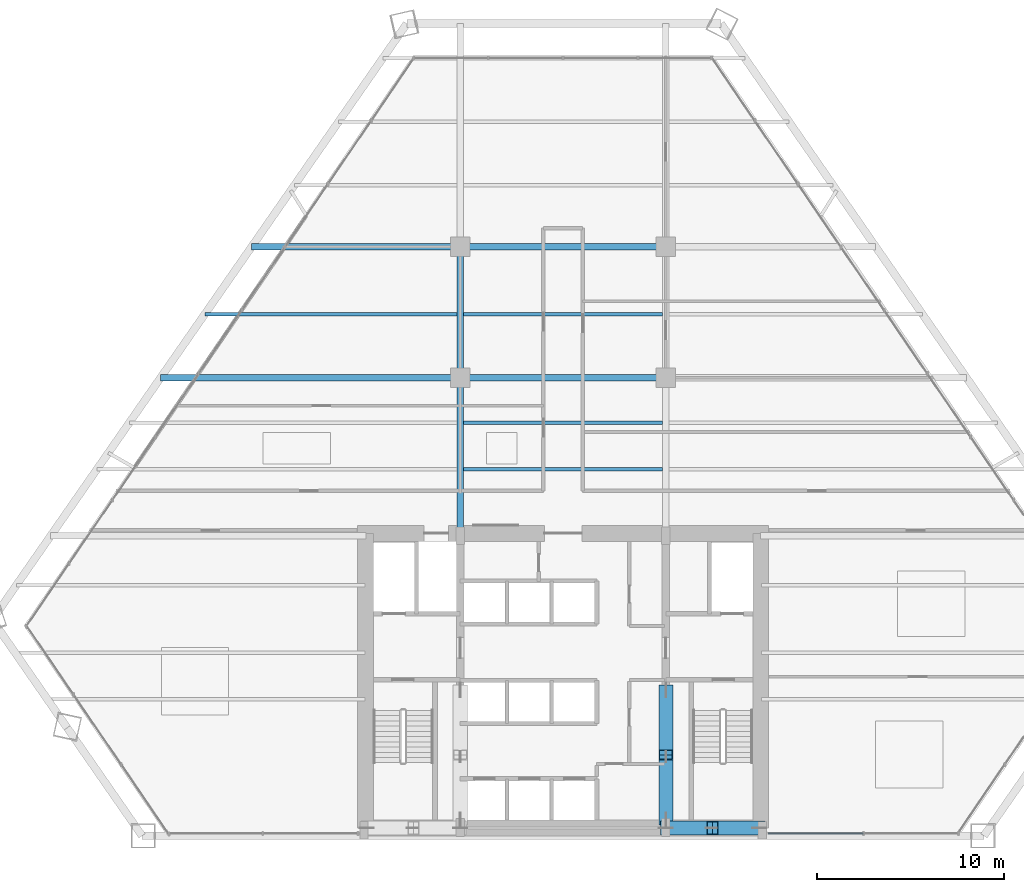
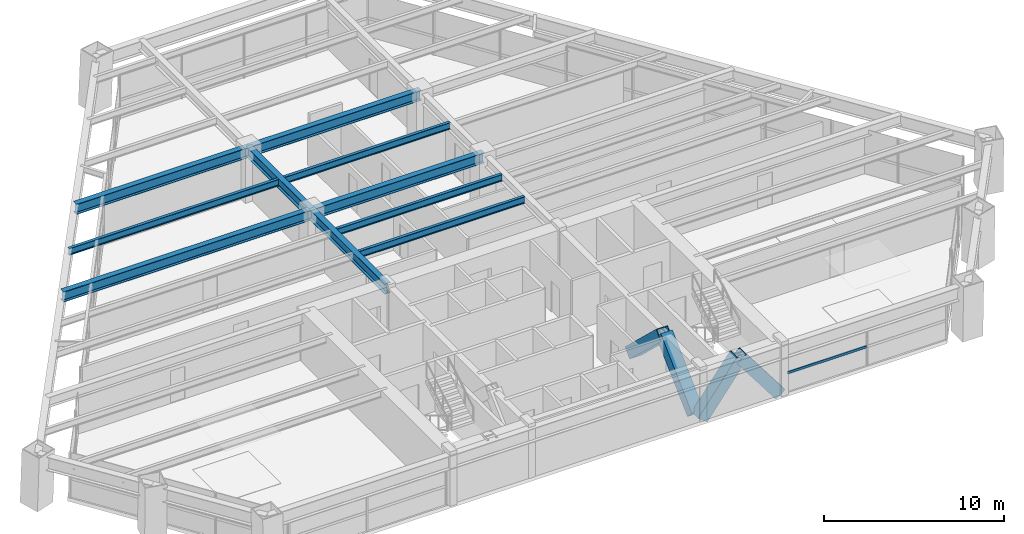
# One storey, part 5 of 13: 10 beams, 5 members, 1 element without a shape of its own.
"""IFC4 building model written with IfcOpenShell, lengths in metres."""

from ifc_helpers import new_model, si_unit, direction, frame, origin, origin_2d, place, context, subcontext, project, spatial, rectangle, hollow_rectangle, i_section, extrude, source, transform, mapped, material, material_profile, profile_set, type_object, type_shapes, element, aggregate, save


model = new_model("IFC4")

# Units and contexts
model_context = context("Model", 3, precision=1e-05, world=origin(), true_north=direction((0.0, 1.0)))
body_context = subcontext(model_context, "Body", "Model", "MODEL_VIEW")
ifc_project = project(units=[si_unit("LENGTHUNIT", "METRE"), si_unit("AREAUNIT", "SQUARE_METRE"), si_unit("VOLUMEUNIT", "CUBIC_METRE"), si_unit("PLANEANGLEUNIT", "RADIAN"), si_unit("MASSUNIT", "GRAM", prefix="KILO")], contexts=[model_context])

# Site, building, storey
site_placement = place(None, origin())
site = spatial("IfcSite", under=ifc_project, at=site_placement, CompositionType="ELEMENT")
building_placement = place(site_placement, origin())
building = spatial("IfcBuilding", under=site, at=building_placement, Name="Varnakhor Terracotta Tower", CompositionType="ELEMENT")
storey_placement = place(building_placement, frame((0.0, 0.0, 27.5)))
storey = spatial("IfcBuildingStorey", under=building, at=storey_placement, Name="L05", CompositionType="ELEMENT", Elevation=27.5)

# Beams
ifc_material_1 = material(Name="Steel S355", Category="steel")
ifc_material_profile_1 = material_profile(ifc_material_1, i_section(OverallWidth=0.35498046875, OverallDepth=0.695068359375, WebThickness=0.014892578125, FlangeThickness=0.02490234375, FilletRadius=0.01806640625, at=origin_2d()), Name="W27X146")
ifc_profile_set_1 = profile_set([ifc_material_profile_1], Name="Steel S355")
beam_type_1 = type_object("IfcBeamType", Name="BM-W27X146", PredefinedType="BEAM", material=ifc_profile_set_1)
shared_shape_1 = source(origin(), body_context, "Body", "SweptSolid", [
    extrude(i_section(OverallWidth=0.35498046875, OverallDepth=0.695068359375, WebThickness=0.014892578125, FlangeThickness=0.02490234375, FilletRadius=0.01806640625, at=origin_2d()), origin(), (0.0, 0.0, 1.0), 8.449951171875),
])
type_shapes(beam_type_1, [shared_shape_1])
beam_1_placement = place(storey_placement, frame((-5.5, 16.050048828125, 3.1025390625), z_axis=(0.0, 1.0, 0.0), x_axis=(-1.0, 0.0, 0.0)))
element("IfcBeam", 1, at=beam_1_placement, inside=storey, type_object=beam_type_1, Name="L05 Primary Girder NS1-W", PredefinedType="BEAM", context=body_context, shape_type="MappedRepresentation", body=[
    mapped(shared_shape_1, transform((0.0, 0.0, 0.0), scale=1.0)),
])
shared_shape_2 = source(origin(), body_context, "Body", "SweptSolid", [
    extrude(i_section(OverallWidth=0.35498046875, OverallDepth=0.695068359375, WebThickness=0.014892578125, FlangeThickness=0.02490234375, FilletRadius=0.01806640625, at=origin_2d()), origin(), (0.0, 0.0, 1.0), 7.0),
])
beam_2_placement = place(storey_placement, frame((-5.5, 24.5, 3.1025390625), z_axis=(0.0, 1.0, 0.0), x_axis=(-1.0, 0.0, 0.0)))
element("IfcBeam", 2, at=beam_2_placement, inside=storey, type_object=beam_type_1, Name="L05 Primary Girder NS2-W", PredefinedType="BEAM", context=body_context, shape_type="MappedRepresentation", body=[
    mapped(shared_shape_2, transform((0.0, 0.0, 0.0), scale=1.0)),
])
shared_shape_3 = source(origin(), body_context, "Body", "SweptSolid", [
    extrude(i_section(OverallWidth=0.35498046875, OverallDepth=0.695068359375, WebThickness=0.014892578125, FlangeThickness=0.02490234375, FilletRadius=0.01806640625, at=origin_2d()), origin(), (0.0, 0.0, 1.0), 16.0283203125),
])
beam_3_placement = place(storey_placement, frame((-21.5283203125, 24.5, 3.1025390625), z_axis=(1.0, 0.0, 0.0), x_axis=(0.0, 1.0, 0.0)))
element("IfcBeam", 3, at=beam_3_placement, inside=storey, type_object=beam_type_1, Name="L05 Primary Girder EW2-1", PredefinedType="BEAM", context=body_context, shape_type="MappedRepresentation", body=[
    mapped(shared_shape_3, transform((0.0, 0.0, 0.0), scale=1.0)),
])
shared_shape_4 = source(origin(), body_context, "Body", "SweptSolid", [
    extrude(i_section(OverallWidth=0.35498046875, OverallDepth=0.695068359375, WebThickness=0.014892578125, FlangeThickness=0.02490234375, FilletRadius=0.01806640625, at=origin_2d()), origin(), (0.0, 0.0, 1.0), 11.0),
])
for number, where, z_axis, x_axis, name in (
    (4, (-5.5, 24.5, 3.1025390625), (1.0, 0.0, 0.0), (0.0, 1.0, 0.0), "L05 Primary Girder EW2-2"),
    (5, (-5.5, 31.5, 3.1025390625), (1.0, 0.0, 0.0), (0.0, 1.0, 0.0), "L05 Primary Girder EW3-2"),
):
    element("IfcBeam", number, at=place(storey_placement, frame(where, z_axis=z_axis, x_axis=x_axis)), inside=storey, type_object=beam_type_1, Name=name, PredefinedType="BEAM", context=body_context, shape_type="MappedRepresentation", body=[
        mapped(shared_shape_4, transform((0.0, 0.0, 0.0), scale=1.0)),
    ])
shared_shape_5 = source(origin(), body_context, "Body", "SweptSolid", [
    extrude(i_section(OverallWidth=0.35498046875, OverallDepth=0.695068359375, WebThickness=0.014892578125, FlangeThickness=0.02490234375, FilletRadius=0.01806640625, at=origin_2d()), origin(), (0.0, 0.0, 1.0), 11.1611328125),
])
beam_4_placement = place(storey_placement, frame((-16.6611328125, 31.5, 3.1025390625), z_axis=(1.0, 0.0, 0.0), x_axis=(0.0, 1.0, 0.0)))
element("IfcBeam", 6, at=beam_4_placement, inside=storey, type_object=beam_type_1, Name="L05 Primary Girder EW3-1", PredefinedType="BEAM", context=body_context, shape_type="MappedRepresentation", body=[
    mapped(shared_shape_5, transform((0.0, 0.0, 0.0), scale=1.0)),
])
ifc_material_profile_2 = material_profile(ifc_material_1, i_section(OverallWidth=0.19189453125, OverallDepth=0.462890625, WebThickness=0.010498046875, FlangeThickness=0.017578125, FilletRadius=0.01806640625, at=origin_2d()), Name="W18X60")
ifc_profile_set_2 = profile_set([ifc_material_profile_2], Name="Steel S355")
beam_type_2 = type_object("IfcBeamType", Name="JST-W18X60", PredefinedType="JOIST", material=ifc_profile_set_2)
shared_shape_6 = source(origin(), body_context, "Body", "SweptSolid", [
    extrude(i_section(OverallWidth=0.19189453125, OverallDepth=0.462890625, WebThickness=0.010498046875, FlangeThickness=0.017578125, FilletRadius=0.01806640625, at=origin_2d()), origin(), (0.0, 0.0, 1.0), 10.65283203125),
])
for number, where, z_axis, x_axis, name in (
    (7, (-5.326416015625, 19.60009765625, 3.218505859375), (1.0, 0.0, 0.0), (0.0, 1.0, 0.0), "L05 Composite Floor Joist 4-2"),
    (8, (-5.326416015625, 22.10009765625, 3.218505859375), (1.0, 0.0, 0.0), (0.0, 1.0, 0.0), "L05 Composite Floor Joist 5-2"),
    (9, (-5.326416015625, 27.89990234375, 3.218505859375), (1.0, 0.0, 0.0), (0.0, 1.0, 0.0), "L05 Composite Floor Joist 6-2"),
):
    element("IfcBeam", number, at=place(storey_placement, frame(where, z_axis=z_axis, x_axis=x_axis)), inside=storey, type_object=beam_type_2, Name=name, PredefinedType="JOIST", context=body_context, shape_type="MappedRepresentation", body=[
        mapped(shared_shape_6, transform((0.0, 0.0, 0.0), scale=1.0)),
    ])
shared_shape_7 = source(origin(), body_context, "Body", "SweptSolid", [
    extrude(i_section(OverallWidth=0.19189453125, OverallDepth=0.462890625, WebThickness=0.010498046875, FlangeThickness=0.017578125, FilletRadius=0.01806640625, at=origin_2d()), origin(), (0.0, 0.0, 1.0), 13.49072265625),
])
beam_5_placement = place(storey_placement, frame((-19.164306640625, 27.89990234375, 3.218505859375), z_axis=(1.0, 0.0, 0.0), x_axis=(0.0, 1.0, 0.0)))
element("IfcBeam", 10, at=beam_5_placement, inside=storey, type_object=beam_type_2, Name="L05 Composite Floor Joist 6-1", PredefinedType="JOIST", context=body_context, shape_type="MappedRepresentation", body=[
    mapped(shared_shape_7, transform((0.0, 0.0, 0.0), scale=1.0)),
])

# Members
ifc_material_2 = material(Name="Steel S460", Category="steel")
ifc_material_profile_3 = material_profile(ifc_material_2, hollow_rectangle(XDim=0.75, YDim=0.75, WallThickness=0.044921875, at=origin_2d()), Name="HSS750X750X45")
ifc_profile_set_3 = profile_set([ifc_material_profile_3], Name="Steel S460")
member_type_1 = type_object("IfcMemberType", Name="MBR-MEGA-750", PredefinedType="BRACE", material=ifc_profile_set_3)
shared_shape_8 = source(origin(), body_context, "Body", "SweptSolid", [
    extrude(hollow_rectangle(XDim=0.75, YDim=0.75, WallThickness=0.044921875, at=origin_2d()), origin(), (0.0, 0.0, 1.0), 4.14013671875),
])
type_shapes(member_type_1, [shared_shape_8])
for number, where, z_axis, x_axis, name in (
    (11, (5.5, 0.419921875, 0.0), (0.603852011179, 0.0, 0.797096448741), (0.0, 1.0, 0.0), "L05 Core Coupled Brace CSEA"),
    (12, (10.5, 0.419921875, 0.0), (-0.603852011179, 0.0, 0.797096448741), (0.0, -1.0, 0.0), "L05 Core Coupled Brace CSEB"),
):
    element("IfcMember", number, at=place(storey_placement, frame(where, z_axis=z_axis, x_axis=x_axis)), inside=storey, type_object=member_type_1, Name=name, PredefinedType="BRACE", context=body_context, shape_type="MappedRepresentation", body=[
        mapped(shared_shape_8, transform((0.0, 0.0, 0.0), scale=1.0)),
    ])
shared_shape_9 = source(origin(), body_context, "Body", "SweptSolid", [
    extrude(hollow_rectangle(XDim=0.75, YDim=0.75, WallThickness=0.044921875, at=origin_2d()), origin(), (0.0, 0.0, 1.0), 4.792236328125),
])
for number, where, z_axis, x_axis, name in (
    (13, (5.5, 0.85009765625, 0.0), (0.0, 0.725110085518, 0.688632967466), (-1.0, 0.0, 0.0), "L05 Core Coupled Brace CWEA"),
    (14, (5.5, 7.800048828125, 0.0), (0.0, -0.72513424341, 0.688607529028), (1.0, 0.0, 0.0), "L05 Core Coupled Brace CWEB"),
):
    element("IfcMember", number, at=place(storey_placement, frame(where, z_axis=z_axis, x_axis=x_axis)), inside=storey, type_object=member_type_1, Name=name, PredefinedType="BRACE", context=body_context, shape_type="MappedRepresentation", body=[
        mapped(shared_shape_9, transform((0.0, 0.0, 0.0), scale=1.0)),
    ])

# Curtain wall, member
ifc_material_3 = material(Name="Anodised Aluminium Curtain Wall System", Category="aluminium")
curtain_wall_type = type_object("IfcCurtainWallType", Name="CW-SYS-LOW-OFFICE", PredefinedType="NOTDEFINED", material=ifc_material_3)
curtain_wall_placement = place(storey_placement, origin())
curtain_wall = element("IfcCurtainWall", 15, at=curtain_wall_placement, inside=storey, type_object=curtain_wall_type, Name="L05 South Wing Curtain Wall SSE", PredefinedType="NOTDEFINED")
ifc_material_4 = material(Name="Anodised Aluminium 6063-T6", Category="aluminium")
ifc_material_profile_4 = material_profile(ifc_material_4, rectangle(XDim=0.074951171875, YDim=0.1650390625, at=origin_2d()), Name="ALU TRANSOM 75x165")
ifc_profile_set_4 = profile_set([ifc_material_profile_4], Name="Anodised Aluminium 6063-T6")
member_type_2 = type_object("IfcMemberType", Name="CWT-02", PredefinedType="USERDEFINED", material=ifc_profile_set_4)
shared_shape_10 = source(origin(), body_context, "Body", "SweptSolid", [
    extrude(rectangle(XDim=0.074951171875, YDim=0.1650390625, at=origin_2d()), origin(), (0.0, 0.0, 1.0), 5.094970703125),
])
member_placement = place(storey_placement, frame((16.06494140625, 0.1201171875, 1.272705078125), z_axis=(-1.0, 0.0, 0.0), x_axis=(0.0, -1.0, 0.0)))
member = element("IfcMember", 16, at=member_placement, type_object=member_type_2, Name="L05 South Wing Curtain Wall SSE Transom 2", ObjectType="TRANSOM", PredefinedType="USERDEFINED", context=body_context, shape_type="MappedRepresentation", body=[
    mapped(shared_shape_10, transform((0.0, 0.0, 0.0), scale=1.0)),
])
aggregate(curtain_wall, [member])

save(model, "model.ifc")
